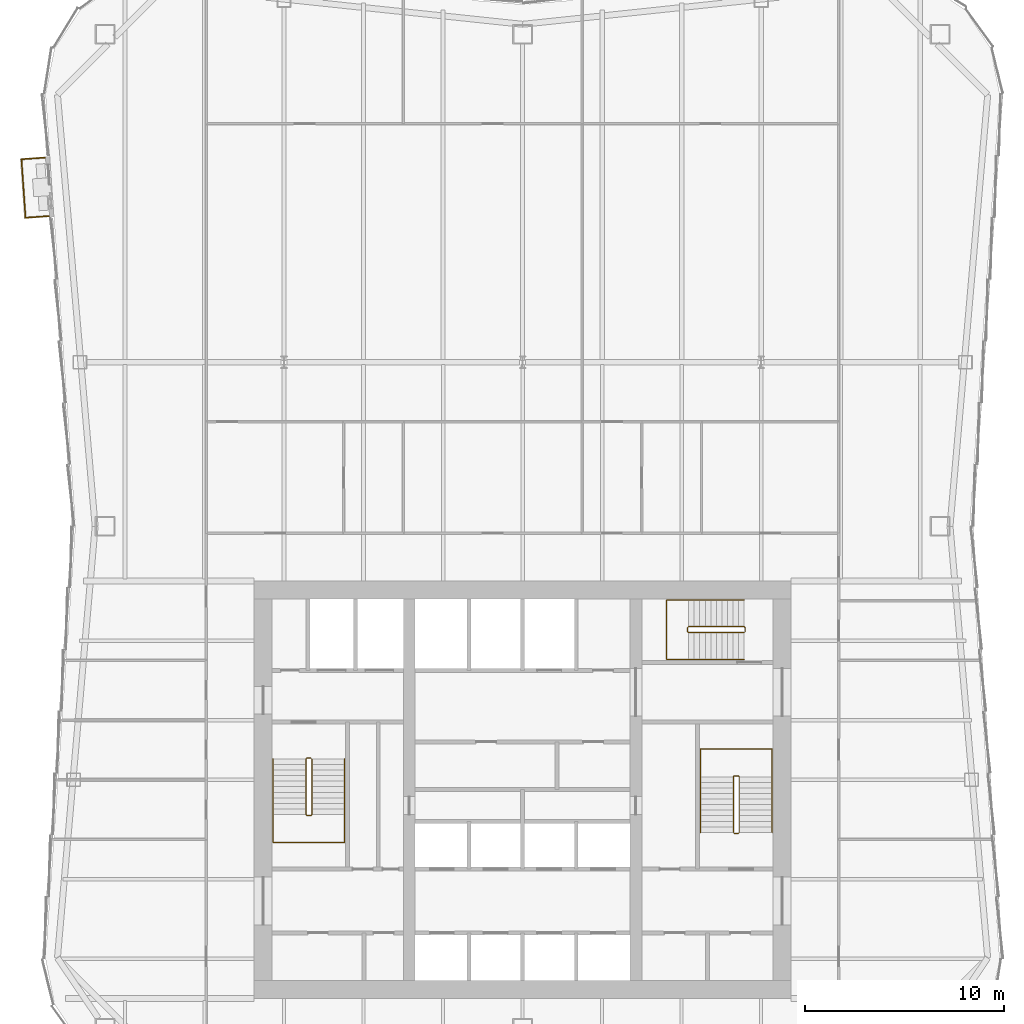
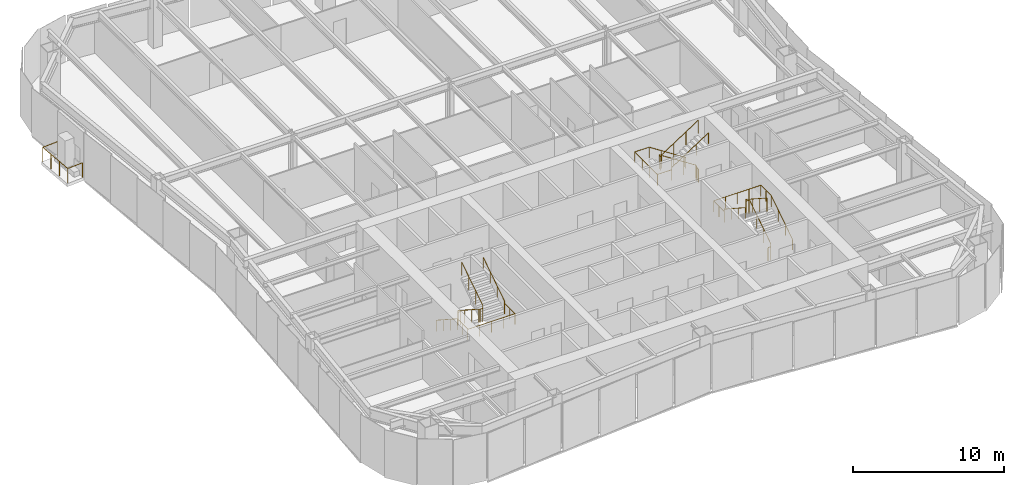
# One storey, part 9 of 10: 7 railings.
"""IFC4 building model written with IfcOpenShell, lengths in metres."""

from ifc_helpers import new_model, si_unit, direction, frame, origin, origin_2d, place, context, subcontext, project, spatial, circle, extrude, material, type_object, element, save


model = new_model("IFC4")

# Units and contexts
model_context = context("Model", 3, precision=1e-05, world=origin(), true_north=direction((0.0, 1.0)))
body_context = subcontext(model_context, "Body", "Model", "MODEL_VIEW")
ifc_project = project(units=[si_unit("LENGTHUNIT", "METRE"), si_unit("AREAUNIT", "SQUARE_METRE"), si_unit("VOLUMEUNIT", "CUBIC_METRE"), si_unit("PLANEANGLEUNIT", "RADIAN"), si_unit("MASSUNIT", "GRAM", prefix="KILO")], contexts=[model_context])

# Site, building, storey
site_placement = place(None, origin())
site = spatial("IfcSite", under=ifc_project, at=site_placement, CompositionType="ELEMENT")
building_placement = place(site_placement, origin())
building = spatial("IfcBuilding", under=site, at=building_placement, Name="Verdant Reach Tower", CompositionType="ELEMENT")
storey_placement = place(building_placement, frame((0.0, 0.0, 190.0)))
storey = spatial("IfcBuildingStorey", under=building, at=storey_placement, Name="L43", CompositionType="ELEMENT", Elevation=190.0)

# Railings
ifc_material_1 = material(Name="Stainless steel", Category="steel")
railing_type_1 = type_object("IfcRailingType", Name="CO-GUARD", PredefinedType="GUARDRAIL", material=ifc_material_1)
railing_1_placement = place(storey_placement, frame((-10.64990234375, 29.60009765625, 0.0)))
element("IfcRailing", 1, at=railing_1_placement, inside=storey, type_object=railing_type_1, Name="L43 ST-1 stair guard 1", PredefinedType="GUARDRAIL", context=body_context, shape_type="SweptSolid", body=[
    extrude(circle(Radius=0.02392578125, at=origin_2d()), frame((0.0, 0.0, 1.076171875), z_axis=(-1.0, 0.0, 0.0), x_axis=(0.0, -1.0, 0.0)), (0.0, 0.0, 1.0), 0.2001953125),
    extrude(circle(Radius=0.02392578125, at=origin_2d()), frame((-0.2001953125, 0.0, 1.076171875), z_axis=(-0.25526617399, -0.256517478764, 0.932222056972), x_axis=(0.708833529934, -0.705375805398, 0.0)), (0.0, 0.0, 1.0), 0.195068359375),
    extrude(circle(Radius=0.02392578125, at=origin_2d()), frame((-0.25, -0.050048828125, 1.2578125), z_axis=(0.0, -0.838705829183, 0.544584733623), x_axis=(1.0, 0.0, 0.0)), (0.0, 0.0, 1.0), 3.338623046875),
    extrude(circle(Radius=0.02392578125, at=origin_2d()), frame((-0.25, -2.85009765625, 3.076171875), z_axis=(0.705375805398, -0.708833529934, 0.0), x_axis=(0.708833529934, 0.705375805398, 0.0)), (0.0, 0.0, 1.0), 0.070556640625),
    extrude(circle(Radius=0.02392578125, at=origin_2d()), frame((-0.2001953125, -2.900146484375, 3.076171875), z_axis=(1.0, 0.0, 0.0), x_axis=(0.0, 1.0, 0.0)), (0.0, 0.0, 1.0), 0.2001953125),
    extrude(circle(Radius=0.02392578125, at=origin_2d()), frame((0.0, -2.900146484375, 3.076171875), z_axis=(0.25526617399, 0.256517478764, 0.932222056972), x_axis=(-0.708833529934, 0.705375805398, 0.0)), (0.0, 0.0, 1.0), 0.195068359375),
    extrude(circle(Radius=0.02392578125, at=origin_2d()), frame((0.0498046875, -2.85009765625, 3.2578125), z_axis=(0.0, 0.838705829183, 0.544584733623), x_axis=(-1.0, 0.0, 0.0)), (0.0, 0.0, 1.0), 3.338623046875),
    extrude(circle(Radius=0.02099609375, at=origin_2d()), origin(), (0.0, 0.0, 1.0), 1.052001953125),
    extrude(circle(Radius=0.02099609375, at=origin_2d()), frame((-0.2001953125, 0.0, 0.0)), (0.0, 0.0, 1.0), 1.052001953125),
    extrude(circle(Radius=0.02099609375, at=origin_2d()), frame((-0.25, -0.050048828125, 0.181884765625)), (0.0, 0.0, 1.0), 1.052001953125),
    extrude(circle(Radius=0.02099609375, at=origin_2d()), frame((-0.25, -0.9833984375, 0.787841796875)), (0.0, 0.0, 1.0), 1.052001953125),
    extrude(circle(Radius=0.02099609375, at=origin_2d()), frame((-0.25, -1.916748046875, 1.39404296875)), (0.0, 0.0, 1.0), 1.052001953125),
    extrude(circle(Radius=0.02099609375, at=origin_2d()), frame((-0.25, -2.85009765625, 2.0)), (0.0, 0.0, 1.0), 1.052001953125),
    extrude(circle(Radius=0.02099609375, at=origin_2d()), frame((-0.2001953125, -2.900146484375, 2.0)), (0.0, 0.0, 1.0), 1.052001953125),
    extrude(circle(Radius=0.02099609375, at=origin_2d()), frame((0.0, -2.900146484375, 2.0)), (0.0, 0.0, 1.0), 1.052001953125),
    extrude(circle(Radius=0.02099609375, at=origin_2d()), frame((0.0498046875, -2.85009765625, 2.181884765625)), (0.0, 0.0, 1.0), 1.052001953125),
    extrude(circle(Radius=0.02099609375, at=origin_2d()), frame((0.0498046875, -1.916748046875, 2.787841796875)), (0.0, 0.0, 1.0), 1.052001953125),
    extrude(circle(Radius=0.02099609375, at=origin_2d()), frame((0.0498046875, -0.9833984375, 3.39404296875)), (0.0, 0.0, 1.0), 1.052001953125),
    extrude(circle(Radius=0.02099609375, at=origin_2d()), frame((0.0498046875, -0.050048828125, 4.0)), (0.0, 0.0, 1.0), 1.052001953125),
])
railing_2_placement = place(storey_placement, frame((10.64990234375, 25.800048828125, 0.0)))
element("IfcRailing", 2, at=railing_2_placement, inside=storey, type_object=railing_type_1, Name="L43 ST-2 stair guard 1", PredefinedType="GUARDRAIL", context=body_context, shape_type="SweptSolid", body=[
    extrude(circle(Radius=0.02392578125, at=origin_2d()), frame((0.0, 0.0, 1.076171875), z_axis=(1.0, 0.0, 0.0), x_axis=(0.0, 1.0, 0.0)), (0.0, 0.0, 1.0), 0.2001953125),
    extrude(circle(Radius=0.02392578125, at=origin_2d()), frame((0.2001953125, 0.0, 1.076171875), z_axis=(0.25526617399, 0.256517478764, 0.932222056972), x_axis=(-0.708833529934, 0.705375805398, 0.0)), (0.0, 0.0, 1.0), 0.195068359375),
    extrude(circle(Radius=0.02392578125, at=origin_2d()), frame((0.25, 0.050048828125, 1.2578125), z_axis=(0.0, 0.83868413941, 0.544618136222), x_axis=(-1.0, 0.0, 0.0)), (0.0, 0.0, 1.0), 3.33837890625),
    extrude(circle(Radius=0.02392578125, at=origin_2d()), frame((0.25, 2.849853515625, 3.076171875), z_axis=(-0.705375805398, 0.708833529934, 0.0), x_axis=(-0.708833529934, -0.705375805398, 0.0)), (0.0, 0.0, 1.0), 0.070556640625),
    extrude(circle(Radius=0.02392578125, at=origin_2d()), frame((0.2001953125, 2.89990234375, 3.076171875), z_axis=(-1.0, 0.0, 0.0), x_axis=(0.0, -1.0, 0.0)), (0.0, 0.0, 1.0), 0.2001953125),
    extrude(circle(Radius=0.02392578125, at=origin_2d()), frame((0.0, 2.89990234375, 3.076171875), z_axis=(-0.25526617399, -0.256517478764, 0.932222056972), x_axis=(0.708833529934, -0.705375805398, 0.0)), (0.0, 0.0, 1.0), 0.195068359375),
    extrude(circle(Radius=0.02392578125, at=origin_2d()), frame((-0.0498046875, 2.849853515625, 3.2578125), z_axis=(0.0, -0.83868413941, 0.544618136222), x_axis=(1.0, 0.0, 0.0)), (0.0, 0.0, 1.0), 3.33837890625),
    extrude(circle(Radius=0.02099609375, at=origin_2d()), origin(), (0.0, 0.0, 1.0), 1.052001953125),
    extrude(circle(Radius=0.02099609375, at=origin_2d()), frame((0.2001953125, 0.0, 0.0)), (0.0, 0.0, 1.0), 1.052001953125),
    extrude(circle(Radius=0.02099609375, at=origin_2d()), frame((0.25, 0.050048828125, 0.181884765625)), (0.0, 0.0, 1.0), 1.052001953125),
    extrude(circle(Radius=0.02099609375, at=origin_2d()), frame((0.25, 0.9833984375, 0.787841796875)), (0.0, 0.0, 1.0), 1.052001953125),
    extrude(circle(Radius=0.02099609375, at=origin_2d()), frame((0.25, 1.91650390625, 1.39404296875)), (0.0, 0.0, 1.0), 1.052001953125),
    extrude(circle(Radius=0.02099609375, at=origin_2d()), frame((0.25, 2.849853515625, 2.0)), (0.0, 0.0, 1.0), 1.052001953125),
    extrude(circle(Radius=0.02099609375, at=origin_2d()), frame((0.2001953125, 2.89990234375, 2.0)), (0.0, 0.0, 1.0), 1.052001953125),
    extrude(circle(Radius=0.02099609375, at=origin_2d()), frame((0.0, 2.89990234375, 2.0)), (0.0, 0.0, 1.0), 1.052001953125),
    extrude(circle(Radius=0.02099609375, at=origin_2d()), frame((-0.0498046875, 2.849853515625, 2.181884765625)), (0.0, 0.0, 1.0), 1.052001953125),
    extrude(circle(Radius=0.02099609375, at=origin_2d()), frame((-0.0498046875, 1.91650390625, 2.787841796875)), (0.0, 0.0, 1.0), 1.052001953125),
    extrude(circle(Radius=0.02099609375, at=origin_2d()), frame((-0.0498046875, 0.9833984375, 3.39404296875)), (0.0, 0.0, 1.0), 1.052001953125),
    extrude(circle(Radius=0.02099609375, at=origin_2d()), frame((-0.0498046875, 0.050048828125, 4.0)), (0.0, 0.0, 1.0), 1.052001953125),
])
railing_3_placement = place(storey_placement, frame((11.199951171875, 35.949951171875, 0.0)))
element("IfcRailing", 3, at=railing_3_placement, inside=storey, type_object=railing_type_1, Name="L43 ST-3 stair guard 1", PredefinedType="GUARDRAIL", context=body_context, shape_type="SweptSolid", body=[
    extrude(circle(Radius=0.02392578125, at=origin_2d()), frame((0.0, 0.0, 1.076171875), z_axis=(0.0, 1.0, 0.0), x_axis=(-1.0, 0.0, 0.0)), (0.0, 0.0, 1.0), 0.199951171875),
    extrude(circle(Radius=0.02392578125, at=origin_2d()), frame((0.0, 0.199951171875, 1.076171875), z_axis=(-0.256435381639, 0.256435381639, 0.931923704005), x_axis=(-0.707106781187, -0.707106781187, 0.0)), (0.0, 0.0, 1.0), 0.195068359375),
    extrude(circle(Radius=0.02392578125, at=origin_2d()), frame((-0.050048828125, 0.25, 1.2578125), z_axis=(-0.83868413941, 0.0, 0.544618136222), x_axis=(0.0, -1.0, 0.0)), (0.0, 0.0, 1.0), 3.33837890625),
    extrude(circle(Radius=0.02392578125, at=origin_2d()), frame((-2.849853515625, 0.25, 3.076171875), z_axis=(-0.707106781187, -0.707106781187, 0.0), x_axis=(0.707106781187, -0.707106781187, 0.0)), (0.0, 0.0, 1.0), 0.07080078125),
    extrude(circle(Radius=0.02392578125, at=origin_2d()), frame((-2.89990234375, 0.199951171875, 3.076171875), z_axis=(0.0, -1.0, 0.0), x_axis=(1.0, 0.0, 0.0)), (0.0, 0.0, 1.0), 0.199951171875),
    extrude(circle(Radius=0.02392578125, at=origin_2d()), frame((-2.89990234375, 0.0, 3.076171875), z_axis=(0.256435381639, -0.256435381639, 0.931923704005), x_axis=(0.707106781187, 0.707106781187, 0.0)), (0.0, 0.0, 1.0), 0.195068359375),
    extrude(circle(Radius=0.02392578125, at=origin_2d()), frame((-2.849853515625, -0.050048828125, 3.2578125), z_axis=(0.83868413941, 0.0, 0.544618136222), x_axis=(0.0, 1.0, 0.0)), (0.0, 0.0, 1.0), 3.33837890625),
    extrude(circle(Radius=0.02099609375, at=origin_2d()), origin(), (0.0, 0.0, 1.0), 1.052001953125),
    extrude(circle(Radius=0.02099609375, at=origin_2d()), frame((0.0, 0.199951171875, 0.0)), (0.0, 0.0, 1.0), 1.052001953125),
    extrude(circle(Radius=0.02099609375, at=origin_2d()), frame((-0.050048828125, 0.25, 0.181884765625)), (0.0, 0.0, 1.0), 1.052001953125),
    extrude(circle(Radius=0.02099609375, at=origin_2d()), frame((-0.9833984375, 0.25, 0.787841796875)), (0.0, 0.0, 1.0), 1.052001953125),
    extrude(circle(Radius=0.02099609375, at=origin_2d()), frame((-1.91650390625, 0.25, 1.39404296875)), (0.0, 0.0, 1.0), 1.052001953125),
    extrude(circle(Radius=0.02099609375, at=origin_2d()), frame((-2.849853515625, 0.25, 2.0)), (0.0, 0.0, 1.0), 1.052001953125),
    extrude(circle(Radius=0.02099609375, at=origin_2d()), frame((-2.89990234375, 0.199951171875, 2.0)), (0.0, 0.0, 1.0), 1.052001953125),
    extrude(circle(Radius=0.02099609375, at=origin_2d()), frame((-2.89990234375, 0.0, 2.0)), (0.0, 0.0, 1.0), 1.052001953125),
    extrude(circle(Radius=0.02099609375, at=origin_2d()), frame((-2.849853515625, -0.050048828125, 2.181884765625)), (0.0, 0.0, 1.0), 1.052001953125),
    extrude(circle(Radius=0.02099609375, at=origin_2d()), frame((-1.91650390625, -0.050048828125, 2.787841796875)), (0.0, 0.0, 1.0), 1.052001953125),
    extrude(circle(Radius=0.02099609375, at=origin_2d()), frame((-0.9833984375, -0.050048828125, 3.39404296875)), (0.0, 0.0, 1.0), 1.052001953125),
    extrude(circle(Radius=0.02099609375, at=origin_2d()), frame((-0.050048828125, -0.050048828125, 4.0)), (0.0, 0.0, 1.0), 1.052001953125),
])
railing_type_2 = type_object("IfcRailingType", Name="CO-HANDRAIL", PredefinedType="HANDRAIL", material=ifc_material_1)
railing_4_placement = place(storey_placement, frame((-12.550048828125, 29.550048828125, 0.181884765625)))
element("IfcRailing", 4, at=railing_4_placement, inside=storey, type_object=railing_type_2, Name="L43 ST-1 stair handrail 1", PredefinedType="HANDRAIL", context=body_context, shape_type="SweptSolid", body=[
    extrude(circle(Radius=0.02392578125, at=origin_2d()), frame((0.0, 0.0, 0.8759765625), z_axis=(0.0, -0.838705829183, 0.544584733623), x_axis=(1.0, 0.0, 0.0)), (0.0, 0.0, 1.0), 3.338623046875),
    extrude(circle(Radius=0.02392578125, at=origin_2d()), frame((0.0, -2.800048828125, 2.69384765625), z_axis=(0.0, -1.0, 0.0), x_axis=(1.0, 0.0, 0.0)), (0.0, 0.0, 1.0), 1.39990234375),
    extrude(circle(Radius=0.02392578125, at=origin_2d()), frame((0.0, -4.199951171875, 2.69384765625), z_axis=(1.0, 0.0, 0.0), x_axis=(0.0, 1.0, 0.0)), (0.0, 0.0, 1.0), 3.60009765625),
    extrude(circle(Radius=0.02392578125, at=origin_2d()), frame((3.60009765625, -4.199951171875, 2.69384765625), z_axis=(0.0, 1.0, 0.0), x_axis=(-1.0, 0.0, 0.0)), (0.0, 0.0, 1.0), 1.39990234375),
    extrude(circle(Radius=0.02392578125, at=origin_2d()), frame((3.60009765625, -2.800048828125, 2.69384765625), z_axis=(0.0, 0.0, 1.0), x_axis=(1.0, 0.0, 0.0)), (0.0, 0.0, 1.0), 0.181884765625),
    extrude(circle(Radius=0.02392578125, at=origin_2d()), frame((3.60009765625, -2.800048828125, 2.8759765625), z_axis=(0.0, 0.838705829183, 0.544584733623), x_axis=(-1.0, 0.0, 0.0)), (0.0, 0.0, 1.0), 3.338623046875),
    extrude(circle(Radius=0.02099609375, at=origin_2d()), origin(), (0.0, 0.0, 1.0), 0.851806640625),
    extrude(circle(Radius=0.02099609375, at=origin_2d()), frame((0.0, -0.933349609375, 0.60595703125)), (0.0, 0.0, 1.0), 0.851806640625),
    extrude(circle(Radius=0.02099609375, at=origin_2d()), frame((0.0, -1.86669921875, 1.212158203125)), (0.0, 0.0, 1.0), 0.851806640625),
    extrude(circle(Radius=0.02099609375, at=origin_2d()), frame((0.0, -2.800048828125, 1.818115234375)), (0.0, 0.0, 1.0), 0.851806640625),
    extrude(circle(Radius=0.02099609375, at=origin_2d()), frame((0.0, -3.5, 1.818115234375)), (0.0, 0.0, 1.0), 0.851806640625),
    extrude(circle(Radius=0.02099609375, at=origin_2d()), frame((0.0, -4.199951171875, 1.818115234375)), (0.0, 0.0, 1.0), 0.851806640625),
    extrude(circle(Radius=0.02099609375, at=origin_2d()), frame((0.89990234375, -4.199951171875, 1.818115234375)), (0.0, 0.0, 1.0), 0.851806640625),
    extrude(circle(Radius=0.02099609375, at=origin_2d()), frame((1.800048828125, -4.199951171875, 1.818115234375)), (0.0, 0.0, 1.0), 0.851806640625),
    extrude(circle(Radius=0.02099609375, at=origin_2d()), frame((2.7001953125, -4.199951171875, 1.818115234375)), (0.0, 0.0, 1.0), 0.851806640625),
    extrude(circle(Radius=0.02099609375, at=origin_2d()), frame((3.60009765625, -4.199951171875, 1.818115234375)), (0.0, 0.0, 1.0), 0.851806640625),
    extrude(circle(Radius=0.02099609375, at=origin_2d()), frame((3.60009765625, -3.5, 1.818115234375)), (0.0, 0.0, 1.0), 0.851806640625),
    extrude(circle(Radius=0.02099609375, at=origin_2d()), frame((3.60009765625, -2.800048828125, 1.818115234375)), (0.0, 0.0, 1.0), 0.851806640625),
    extrude(circle(Radius=0.02099609375, at=origin_2d()), frame((3.60009765625, -2.800048828125, 2.0)), (0.0, 0.0, 1.0), 0.851806640625),
    extrude(circle(Radius=0.02099609375, at=origin_2d()), frame((3.60009765625, -1.86669921875, 2.60595703125)), (0.0, 0.0, 1.0), 0.851806640625),
    extrude(circle(Radius=0.02099609375, at=origin_2d()), frame((3.60009765625, -0.933349609375, 3.212158203125)), (0.0, 0.0, 1.0), 0.851806640625),
    extrude(circle(Radius=0.02099609375, at=origin_2d()), frame((3.60009765625, 0.0, 3.818115234375)), (0.0, 0.0, 1.0), 0.851806640625),
])
railing_5_placement = place(storey_placement, frame((12.550048828125, 25.85009765625, 0.181884765625)))
element("IfcRailing", 5, at=railing_5_placement, inside=storey, type_object=railing_type_2, Name="L43 ST-2 stair handrail 1", PredefinedType="HANDRAIL", context=body_context, shape_type="SweptSolid", body=[
    extrude(circle(Radius=0.02392578125, at=origin_2d()), frame((0.0, 0.0, 0.8759765625), z_axis=(0.0, 0.83868413941, 0.544618136222), x_axis=(-1.0, 0.0, 0.0)), (0.0, 0.0, 1.0), 3.33837890625),
    extrude(circle(Radius=0.02392578125, at=origin_2d()), frame((0.0, 2.7998046875, 2.69384765625), z_axis=(0.0, 1.0, 0.0), x_axis=(-1.0, 0.0, 0.0)), (0.0, 0.0, 1.0), 1.400146484375),
    extrude(circle(Radius=0.02392578125, at=origin_2d()), frame((0.0, 4.199951171875, 2.69384765625), z_axis=(-1.0, 0.0, 0.0), x_axis=(0.0, -1.0, 0.0)), (0.0, 0.0, 1.0), 3.60009765625),
    extrude(circle(Radius=0.02392578125, at=origin_2d()), frame((-3.60009765625, 4.199951171875, 2.69384765625), z_axis=(0.0, -1.0, 0.0), x_axis=(1.0, 0.0, 0.0)), (0.0, 0.0, 1.0), 1.400146484375),
    extrude(circle(Radius=0.02392578125, at=origin_2d()), frame((-3.60009765625, 2.7998046875, 2.69384765625), z_axis=(0.0, 0.0, 1.0), x_axis=(1.0, 0.0, 0.0)), (0.0, 0.0, 1.0), 0.181884765625),
    extrude(circle(Radius=0.02392578125, at=origin_2d()), frame((-3.60009765625, 2.7998046875, 2.8759765625), z_axis=(0.0, -0.83868413941, 0.544618136222), x_axis=(1.0, 0.0, 0.0)), (0.0, 0.0, 1.0), 3.33837890625),
    extrude(circle(Radius=0.02099609375, at=origin_2d()), origin(), (0.0, 0.0, 1.0), 0.851806640625),
    extrude(circle(Radius=0.02099609375, at=origin_2d()), frame((0.0, 0.933349609375, 0.60595703125)), (0.0, 0.0, 1.0), 0.851806640625),
    extrude(circle(Radius=0.02099609375, at=origin_2d()), frame((0.0, 1.866455078125, 1.212158203125)), (0.0, 0.0, 1.0), 0.851806640625),
    extrude(circle(Radius=0.02099609375, at=origin_2d()), frame((0.0, 2.7998046875, 1.818115234375)), (0.0, 0.0, 1.0), 0.851806640625),
    extrude(circle(Radius=0.02099609375, at=origin_2d()), frame((0.0, 3.5, 1.818115234375)), (0.0, 0.0, 1.0), 0.851806640625),
    extrude(circle(Radius=0.02099609375, at=origin_2d()), frame((0.0, 4.199951171875, 1.818115234375)), (0.0, 0.0, 1.0), 0.851806640625),
    extrude(circle(Radius=0.02099609375, at=origin_2d()), frame((-0.89990234375, 4.199951171875, 1.818115234375)), (0.0, 0.0, 1.0), 0.851806640625),
    extrude(circle(Radius=0.02099609375, at=origin_2d()), frame((-1.800048828125, 4.199951171875, 1.818115234375)), (0.0, 0.0, 1.0), 0.851806640625),
    extrude(circle(Radius=0.02099609375, at=origin_2d()), frame((-2.7001953125, 4.199951171875, 1.818115234375)), (0.0, 0.0, 1.0), 0.851806640625),
    extrude(circle(Radius=0.02099609375, at=origin_2d()), frame((-3.60009765625, 4.199951171875, 1.818115234375)), (0.0, 0.0, 1.0), 0.851806640625),
    extrude(circle(Radius=0.02099609375, at=origin_2d()), frame((-3.60009765625, 3.5, 1.818115234375)), (0.0, 0.0, 1.0), 0.851806640625),
    extrude(circle(Radius=0.02099609375, at=origin_2d()), frame((-3.60009765625, 2.7998046875, 1.818115234375)), (0.0, 0.0, 1.0), 0.851806640625),
    extrude(circle(Radius=0.02099609375, at=origin_2d()), frame((-3.60009765625, 2.7998046875, 2.0)), (0.0, 0.0, 1.0), 0.851806640625),
    extrude(circle(Radius=0.02099609375, at=origin_2d()), frame((-3.60009765625, 1.866455078125, 2.60595703125)), (0.0, 0.0, 1.0), 0.851806640625),
    extrude(circle(Radius=0.02099609375, at=origin_2d()), frame((-3.60009765625, 0.933349609375, 3.212158203125)), (0.0, 0.0, 1.0), 0.851806640625),
    extrude(circle(Radius=0.02099609375, at=origin_2d()), frame((-3.60009765625, 0.0, 3.818115234375)), (0.0, 0.0, 1.0), 0.851806640625),
])
railing_6_placement = place(storey_placement, frame((11.14990234375, 37.550048828125, 0.181884765625)))
element("IfcRailing", 6, at=railing_6_placement, inside=storey, type_object=railing_type_2, Name="L43 ST-3 stair handrail 1", PredefinedType="HANDRAIL", context=body_context, shape_type="SweptSolid", body=[
    extrude(circle(Radius=0.02392578125, at=origin_2d()), frame((0.0, 0.0, 0.8759765625), z_axis=(-0.83868413941, 0.0, 0.544618136222), x_axis=(0.0, -1.0, 0.0)), (0.0, 0.0, 1.0), 3.33837890625),
    extrude(circle(Radius=0.02392578125, at=origin_2d()), frame((-2.7998046875, 0.0, 2.69384765625), z_axis=(-1.0, 0.0, 0.0), x_axis=(0.0, -1.0, 0.0)), (0.0, 0.0, 1.0), 1.10009765625),
    extrude(circle(Radius=0.02392578125, at=origin_2d()), frame((-3.89990234375, 0.0, 2.69384765625), z_axis=(0.0, -1.0, 0.0), x_axis=(1.0, 0.0, 0.0)), (0.0, 0.0, 1.0), 3.0),
    extrude(circle(Radius=0.02392578125, at=origin_2d()), frame((-3.89990234375, -3.0, 2.69384765625), z_axis=(1.0, 0.0, 0.0), x_axis=(0.0, 1.0, 0.0)), (0.0, 0.0, 1.0), 1.10009765625),
    extrude(circle(Radius=0.02392578125, at=origin_2d()), frame((-2.7998046875, -3.0, 2.69384765625), z_axis=(0.0, 0.0, 1.0), x_axis=(1.0, 0.0, 0.0)), (0.0, 0.0, 1.0), 0.181884765625),
    extrude(circle(Radius=0.02392578125, at=origin_2d()), frame((-2.7998046875, -3.0, 2.8759765625), z_axis=(0.83868413941, 0.0, 0.544618136222), x_axis=(0.0, 1.0, 0.0)), (0.0, 0.0, 1.0), 3.33837890625),
    extrude(circle(Radius=0.02099609375, at=origin_2d()), origin(), (0.0, 0.0, 1.0), 0.851806640625),
    extrude(circle(Radius=0.02099609375, at=origin_2d()), frame((-0.933349609375, 0.0, 0.60595703125)), (0.0, 0.0, 1.0), 0.851806640625),
    extrude(circle(Radius=0.02099609375, at=origin_2d()), frame((-1.866455078125, 0.0, 1.212158203125)), (0.0, 0.0, 1.0), 0.851806640625),
    extrude(circle(Radius=0.02099609375, at=origin_2d()), frame((-2.7998046875, 0.0, 1.818115234375)), (0.0, 0.0, 1.0), 0.851806640625),
    extrude(circle(Radius=0.02099609375, at=origin_2d()), frame((-3.89990234375, 0.0, 1.818115234375)), (0.0, 0.0, 1.0), 0.851806640625),
    extrude(circle(Radius=0.02099609375, at=origin_2d()), frame((-3.89990234375, -1.0, 1.818115234375)), (0.0, 0.0, 1.0), 0.851806640625),
    extrude(circle(Radius=0.02099609375, at=origin_2d()), frame((-3.89990234375, -2.0, 1.818115234375)), (0.0, 0.0, 1.0), 0.851806640625),
    extrude(circle(Radius=0.02099609375, at=origin_2d()), frame((-3.89990234375, -3.0, 1.818115234375)), (0.0, 0.0, 1.0), 0.851806640625),
    extrude(circle(Radius=0.02099609375, at=origin_2d()), frame((-2.7998046875, -3.0, 1.818115234375)), (0.0, 0.0, 1.0), 0.851806640625),
    extrude(circle(Radius=0.02099609375, at=origin_2d()), frame((-2.7998046875, -3.0, 2.0)), (0.0, 0.0, 1.0), 0.851806640625),
    extrude(circle(Radius=0.02099609375, at=origin_2d()), frame((-1.866455078125, -3.0, 2.60595703125)), (0.0, 0.0, 1.0), 0.851806640625),
    extrude(circle(Radius=0.02099609375, at=origin_2d()), frame((-0.933349609375, -3.0, 3.212158203125)), (0.0, 0.0, 1.0), 0.851806640625),
    extrude(circle(Radius=0.02099609375, at=origin_2d()), frame((0.0, -3.0, 3.818115234375)), (0.0, 0.0, 1.0), 0.851806640625),
])
ifc_material_2 = material(Name="Stainless steel and laminated glass balustrade", Category="steel")
railing_type_3 = type_object("IfcRailingType", Name="EN-RAILING BALCONY", PredefinedType="GUARDRAIL", material=ifc_material_2)
railing_7_placement = place(storey_placement, frame((-24.02734375, 59.79296875, 0.0)))
element("IfcRailing", 7, at=railing_7_placement, inside=storey, type_object=railing_type_3, Name="Balcony guard 1, L43", PredefinedType="GUARDRAIL", context=body_context, shape_type="SweptSolid", body=[
    extrude(circle(Radius=0.02490234375, at=origin_2d()), frame((0.0, 0.0, 1.1748046875), z_axis=(-0.997631794817, -0.068780825605, 0.0), x_axis=(0.068780825605, -0.997631794817, 0.0)), (0.0, 0.0, 1.0), 1.181884765625),
    extrude(circle(Radius=0.02490234375, at=origin_2d()), frame((-1.17919921875, -0.081298828125, 1.1748046875), z_axis=(0.068804933195, -0.997630132448, 0.0), x_axis=(0.997630132448, 0.068804933195, 0.0)), (0.0, 0.0, 1.0), 2.94873046875),
    extrude(circle(Radius=0.02490234375, at=origin_2d()), frame((-0.976318359375, -3.02294921875, 1.1748046875), z_axis=(0.99761760087, 0.068986393104, 0.0), x_axis=(-0.068986393104, 0.99761760087, 0.0)), (0.0, 0.0, 1.0), 1.18212890625),
    extrude(circle(Radius=0.02490234375, at=origin_2d()), origin(), (0.0, 0.0, 1.0), 1.14990234375),
    extrude(circle(Radius=0.02490234375, at=origin_2d()), frame((-1.17919921875, -0.081298828125, 0.0)), (0.0, 0.0, 1.0), 1.14990234375),
    extrude(circle(Radius=0.02490234375, at=origin_2d()), frame((-1.111572265625, -1.061767578125, 0.0)), (0.0, 0.0, 1.0), 1.14990234375),
    extrude(circle(Radius=0.02490234375, at=origin_2d()), frame((-1.0439453125, -2.04248046875, 0.0)), (0.0, 0.0, 1.0), 1.14990234375),
    extrude(circle(Radius=0.02490234375, at=origin_2d()), frame((-0.976318359375, -3.02294921875, 0.0)), (0.0, 0.0, 1.0), 1.14990234375),
    extrude(circle(Radius=0.02490234375, at=origin_2d()), frame((0.202880859375, -2.94140625, 0.0)), (0.0, 0.0, 1.0), 1.14990234375),
])

save(model, "model.ifc")
